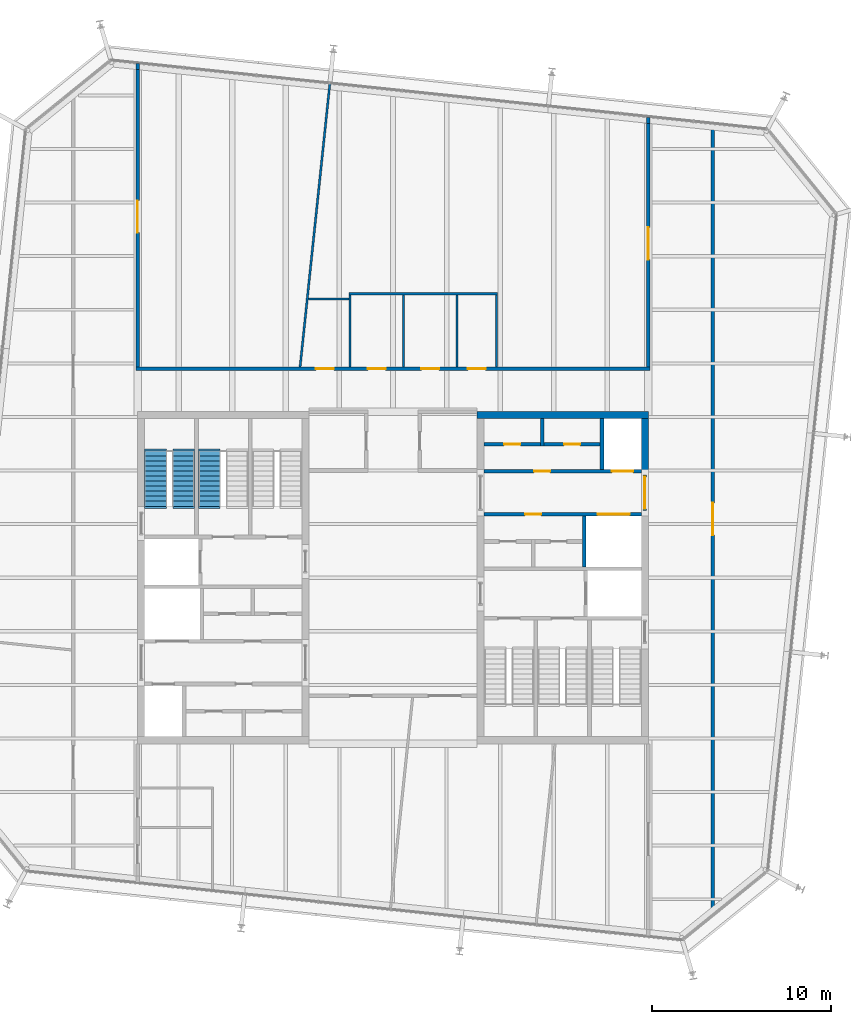
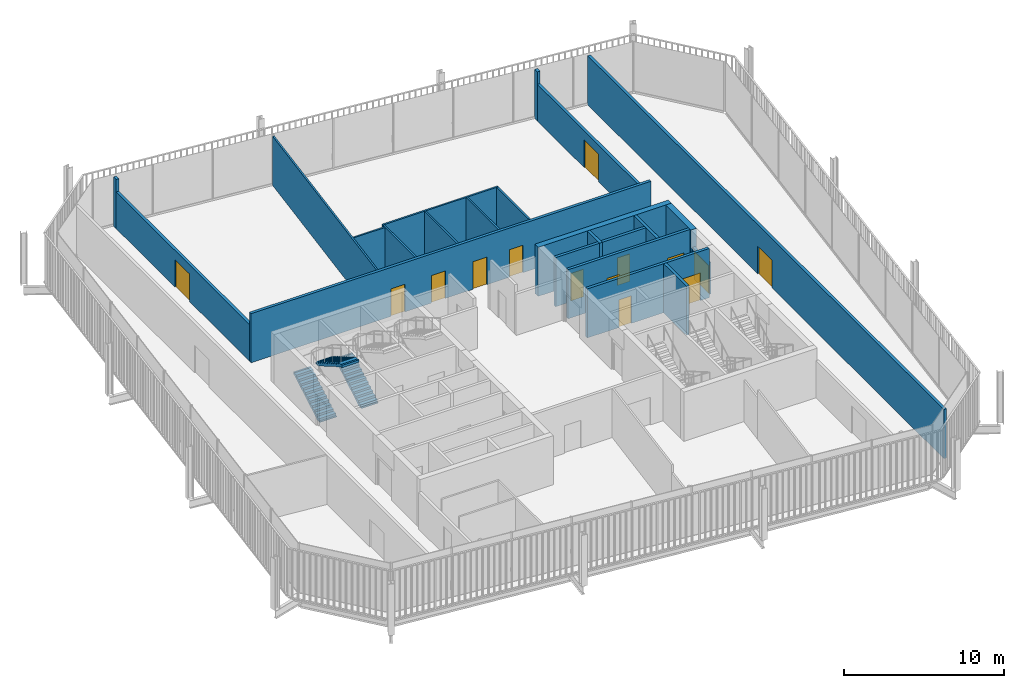
# One storey, part 18 of 20: 22 walls, 14 doors, 3 stair flights, 14 openings, 2 elements without a shape of their own.
"""IFC4 building model written with IfcOpenShell, lengths in metres."""

from ifc_helpers import new_model, si_unit, direction, frame, frame_2d, origin, place, context, subcontext, project, spatial, polyline, rectangle, outline, extrude, material, layer, layer_set, type_object, element, fill, aggregate, save


model = new_model("IFC4")

# Units and contexts
model_context = context("Model", 3, precision=1e-05, world=origin(), true_north=direction((0.0, 1.0)))
body_context = subcontext(model_context, "Body", "Model", "MODEL_VIEW")
ifc_project = project(units=[si_unit("LENGTHUNIT", "METRE"), si_unit("AREAUNIT", "SQUARE_METRE"), si_unit("VOLUMEUNIT", "CUBIC_METRE"), si_unit("PLANEANGLEUNIT", "RADIAN"), si_unit("MASSUNIT", "GRAM", prefix="KILO")], contexts=[model_context])

# Site, building, storey
site_placement = place(None, origin())
site = spatial("IfcSite", under=ifc_project, at=site_placement, CompositionType="ELEMENT")
building_placement = place(site_placement, origin())
building = spatial("IfcBuilding", under=site, at=building_placement, Name="Millrace Tower", CompositionType="ELEMENT")
storey_placement = place(building_placement, frame((0.0, 0.0, 322.60009765625)))
storey = spatial("IfcBuildingStorey", under=building, at=storey_placement, Name="L74", CompositionType="ELEMENT", Elevation=322.60009765625)

# Walls
ifc_material_1 = material(Name="Concrete C60", Category="concrete")
ifc_layer_1 = layer(ifc_material_1, 0.39990234375)
ifc_layer_set_1 = layer_set([ifc_layer_1], Name="Concrete C60")
wall_type_1 = type_object("IfcWallType", Name="Core wall 400 Concrete C60", PredefinedType="SHEAR", material=ifc_layer_set_1)
wall_1_placement = place(storey_placement, frame((14.300048828125, 9.10009765625, 0.0), z_axis=(0.0, 0.0, 1.0), x_axis=(-1.0, 0.0, 0.0)))
element("IfcWall", 1, at=wall_1_placement, inside=storey, type_object=wall_type_1, Name="Core wall E L74", PredefinedType="SHEAR", context=body_context, shape_type="SweptSolid", body=[
    extrude(rectangle(XDim=9.60009765625, YDim=0.39990234375, at=frame_2d((4.800048828125, 0.0))), origin(), (0.0, 0.0, 1.0), 3.739990234375),
])
wall_2_placement = place(storey_placement, frame((14.10009765625, 8.89990234375, 0.0), z_axis=(0.0, 0.0, 1.0), x_axis=(0.0, -1.0, 0.0)))
element("IfcWall", 2, at=wall_2_placement, inside=storey, type_object=wall_type_1, Name="Core wall E L74", PredefinedType="SHEAR", context=body_context, shape_type="SweptSolid", body=[
    extrude(rectangle(XDim=3.14990234375, YDim=0.39990234375, at=frame_2d((1.574951171875, 0.0))), origin(), (0.0, 0.0, 1.0), 3.739990234375),
])

# Wall, openings, doors
ifc_material_2 = material(Name="Masonry partition, fire-rated", Category="masonry")
ifc_layer_2 = layer(ifc_material_2, 0.199951171875)
ifc_layer_set_2 = layer_set([ifc_layer_2], Name="Masonry partition, fire-rated")
wall_type_2 = type_object("IfcWallType", Name="Corridor wall 200", PredefinedType="PARTITIONING", material=ifc_layer_set_2)
wall_3_placement = place(storey_placement, frame((-14.39990234375, 11.699951171875, 0.0), z_axis=(0.0, 0.0, 1.0), x_axis=(1.0, 0.0, 0.0)))
wall_3 = element("IfcWall", 3, at=wall_3_placement, inside=storey, type_object=wall_type_2, Name="Corridor wall L74", PredefinedType="PARTITIONING", context=body_context, shape_type="SweptSolid", body=[
    extrude(rectangle(XDim=28.7998046875, YDim=0.199951171875, at=frame_2d((14.39990234375, 0.0))), origin(), (0.0, 0.0, 1.0), 3.739990234375),
])
opening_1_placement = place(wall_3_placement, frame((10.089111328125, 0.0, 0.0)))
opening_1 = element("IfcOpeningElement", 4, at=opening_1_placement, cuts=wall_3, Name="Opening 74-P007", PredefinedType="OPENING", context=body_context, shape_type="SweptSolid", body=[
    extrude(rectangle(XDim=1.0, YDim=2.10009765625, at=frame_2d((0.5, 1.050048828125))), frame((0.0, 0.10986328125, 0.0), z_axis=(0.0, -1.0, 0.0), x_axis=(1.0, 0.0, 0.0)), (0.0, 0.0, 1.0), 0.219970703125),
])
opening_2_placement = place(wall_3_placement, frame((12.989013671875, 0.0, 0.0)))
opening_2 = element("IfcOpeningElement", 5, at=opening_2_placement, cuts=wall_3, Name="Opening 74-P014", PredefinedType="OPENING", context=body_context, shape_type="SweptSolid", body=[
    extrude(rectangle(XDim=1.0, YDim=2.10009765625, at=frame_2d((0.5, 1.050048828125))), frame((0.0, 0.10986328125, 0.0), z_axis=(0.0, -1.0, 0.0), x_axis=(1.0, 0.0, 0.0)), (0.0, 0.0, 1.0), 0.219970703125),
])
opening_3_placement = place(wall_3_placement, frame((15.989013671875, 0.0, 0.0)))
opening_3 = element("IfcOpeningElement", 6, at=opening_3_placement, cuts=wall_3, Name="Opening 74-P015", PredefinedType="OPENING", context=body_context, shape_type="SweptSolid", body=[
    extrude(rectangle(XDim=1.0, YDim=2.10009765625, at=frame_2d((0.5, 1.050048828125))), frame((0.0, 0.10986328125, 0.0), z_axis=(0.0, -1.0, 0.0), x_axis=(1.0, 0.0, 0.0)), (0.0, 0.0, 1.0), 0.219970703125),
])
opening_4_placement = place(wall_3_placement, frame((18.589111328125, 0.0, 0.0)))
opening_4 = element("IfcOpeningElement", 7, at=opening_4_placement, cuts=wall_3, Name="Opening 74-P016", PredefinedType="OPENING", context=body_context, shape_type="SweptSolid", body=[
    extrude(rectangle(XDim=1.0, YDim=2.10009765625, at=frame_2d((0.5, 1.050048828125))), frame((0.0, 0.10986328125, 0.0), z_axis=(0.0, -1.0, 0.0), x_axis=(1.0, 0.0, 0.0)), (0.0, 0.0, 1.0), 0.219970703125),
])
ifc_material_3 = material(Name="Steel door set, fire-rated", Category="steel")
door_type_1 = type_object("IfcDoorType", Name="Corridor door 1000 x 2100", OperationType="SINGLE_SWING_LEFT", PredefinedType="DOOR", material=ifc_material_3)
door_1_placement = place(opening_1_placement, origin())
door_1 = element("IfcDoor", 8, at=door_1_placement, inside=storey, type_object=door_type_1, Name="Door 74-P007", OperationType="SINGLE_SWING_LEFT", OverallHeight=2.10009765625, OverallWidth=1.0, PredefinedType="DOOR", context=body_context, shape_type="SweptSolid", body=[
    extrude(rectangle(XDim=1.0, YDim=2.10009765625, at=frame_2d((0.5, 1.050048828125))), frame((0.0, 0.02490234375, 0.0), z_axis=(0.0, -1.0, 0.0), x_axis=(1.0, 0.0, 0.0)), (0.0, 0.0, 1.0), 0.050048828125),
])
fill(opening_1, door_1)
door_2_placement = place(opening_2_placement, origin())
door_2 = element("IfcDoor", 9, at=door_2_placement, inside=storey, type_object=door_type_1, Name="Door 74-P014", OperationType="SINGLE_SWING_LEFT", OverallHeight=2.10009765625, OverallWidth=1.0, PredefinedType="DOOR", context=body_context, shape_type="SweptSolid", body=[
    extrude(rectangle(XDim=1.0, YDim=2.10009765625, at=frame_2d((0.5, 1.050048828125))), frame((0.0, 0.02490234375, 0.0), z_axis=(0.0, -1.0, 0.0), x_axis=(1.0, 0.0, 0.0)), (0.0, 0.0, 1.0), 0.050048828125),
])
fill(opening_2, door_2)
door_3_placement = place(opening_3_placement, origin())
door_3 = element("IfcDoor", 10, at=door_3_placement, inside=storey, type_object=door_type_1, Name="Door 74-P015", OperationType="SINGLE_SWING_RIGHT", OverallHeight=2.10009765625, OverallWidth=1.0, PredefinedType="DOOR", context=body_context, shape_type="SweptSolid", body=[
    extrude(rectangle(XDim=1.0, YDim=2.10009765625, at=frame_2d((0.5, 1.050048828125))), frame((0.0, 0.02490234375, 0.0), z_axis=(0.0, -1.0, 0.0), x_axis=(1.0, 0.0, 0.0)), (0.0, 0.0, 1.0), 0.050048828125),
])
fill(opening_3, door_3)
door_4_placement = place(opening_4_placement, origin())
door_4 = element("IfcDoor", 11, at=door_4_placement, inside=storey, type_object=door_type_1, Name="Door 74-P016", OperationType="SINGLE_SWING_RIGHT", OverallHeight=2.10009765625, OverallWidth=1.0, PredefinedType="DOOR", context=body_context, shape_type="SweptSolid", body=[
    extrude(rectangle(XDim=1.0, YDim=2.10009765625, at=frame_2d((0.5, 1.050048828125))), frame((0.0, 0.02490234375, 0.0), z_axis=(0.0, -1.0, 0.0), x_axis=(1.0, 0.0, 0.0)), (0.0, 0.0, 1.0), 0.050048828125),
])
fill(opening_4, door_4)

# Wall, opening, door
wall_4_placement = place(storey_placement, frame((17.89990234375, -19.042236328125, 0.0), z_axis=(0.0, 0.0, 1.0), x_axis=(0.0, 1.0, 0.0)))
wall_4 = element("IfcWall", 12, at=wall_4_placement, inside=storey, type_object=wall_type_2, Name="Corridor wall L74", PredefinedType="PARTITIONING", context=body_context, shape_type="SweptSolid", body=[
    extrude(rectangle(XDim=44.437255859375, YDim=0.199951171875, at=frame_2d((22.21875, 0.0))), origin(), (0.0, 0.0, 1.0), 3.739990234375),
])
opening_5_placement = place(wall_4_placement, frame((21.42578125, 0.0, 0.0)))
opening_5 = element("IfcOpeningElement", 13, at=opening_5_placement, cuts=wall_4, Name="Opening 74-P008", PredefinedType="OPENING", context=body_context, shape_type="SweptSolid", body=[
    extrude(rectangle(XDim=1.800048828125, YDim=2.10009765625, at=frame_2d((0.89990234375, 1.050048828125))), frame((0.0, 0.10986328125, 0.0), z_axis=(0.0, -1.0, 0.0), x_axis=(1.0, 0.0, 0.0)), (0.0, 0.0, 1.0), 0.219970703125),
])
ifc_material_4 = material(Name="Steel door set, fire-rated", Category="steel")
door_type_2 = type_object("IfcDoorType", Name="Corridor door 1800 x 2100", OperationType="DOUBLE_DOOR_SINGLE_SWING", PredefinedType="DOOR", material=ifc_material_4)
door_5_placement = place(opening_5_placement, origin())
door_5 = element("IfcDoor", 14, at=door_5_placement, inside=storey, type_object=door_type_2, Name="Door 74-P008", OperationType="DOUBLE_DOOR_SINGLE_SWING", OverallHeight=2.10009765625, OverallWidth=1.800048828125, PredefinedType="DOOR", context=body_context, shape_type="SweptSolid", body=[
    extrude(rectangle(XDim=1.800048828125, YDim=2.10009765625, at=frame_2d((0.89990234375, 1.050048828125))), frame((0.0, 0.02490234375, 0.0), z_axis=(0.0, -1.0, 0.0), x_axis=(1.0, 0.0, 0.0)), (0.0, 0.0, 1.0), 0.050048828125),
])
fill(opening_5, door_5)

wall_5_placement = place(storey_placement, frame((14.300048828125, 11.800048828125, 0.0), z_axis=(0.0, 0.0, 1.0), x_axis=(0.0, 1.0, 0.0)))
wall_5 = element("IfcWall", 15, at=wall_5_placement, inside=storey, type_object=wall_type_2, Name="Corridor wall L74", PredefinedType="PARTITIONING", context=body_context, shape_type="SweptSolid", body=[
    extrude(rectangle(XDim=13.63427734375, YDim=0.199951171875, at=frame_2d((6.817138671875, 0.0))), origin(), (0.0, 0.0, 1.0), 2.79248046875),
])
opening_6_placement = place(wall_5_placement, frame((6.011474609375, 0.0, 0.0)))
opening_6 = element("IfcOpeningElement", 16, at=opening_6_placement, cuts=wall_5, Name="Opening 74-P006", PredefinedType="OPENING", context=body_context, shape_type="SweptSolid", body=[
    extrude(rectangle(XDim=1.800048828125, YDim=2.10009765625, at=frame_2d((0.89990234375, 1.050048828125))), frame((0.0, 0.10986328125, 0.0), z_axis=(0.0, -1.0, 0.0), x_axis=(1.0, 0.0, 0.0)), (0.0, 0.0, 1.0), 0.219970703125),
])
door_6_placement = place(opening_6_placement, frame((1.800048828125, 0.0, 0.0), z_axis=(0.0, 0.0, 1.0), x_axis=(-1.0, 0.0, 0.0)))
door_6 = element("IfcDoor", 17, at=door_6_placement, inside=storey, type_object=door_type_2, Name="Door 74-P006", OperationType="DOUBLE_DOOR_SINGLE_SWING", OverallHeight=2.10009765625, OverallWidth=1.800048828125, PredefinedType="DOOR", context=body_context, shape_type="SweptSolid", body=[
    extrude(rectangle(XDim=1.800048828125, YDim=2.10009765625, at=frame_2d((0.89990234375, 1.050048828125))), frame((0.0, 0.02490234375, 0.0), z_axis=(0.0, -1.0, 0.0), x_axis=(1.0, 0.0, 0.0)), (0.0, 0.0, 1.0), 0.050048828125),
])
fill(opening_6, door_6)

# Wall
wall_6_placement = place(storey_placement, frame((14.300048828125, 25.434326171875, 0.0), z_axis=(0.0, 0.0, 1.0), x_axis=(0.0, 1.0, 0.0)))
element("IfcWall", 18, at=wall_6_placement, inside=storey, type_object=wall_type_2, Name="Corridor wall L74", PredefinedType="PARTITIONING", context=body_context, shape_type="SweptSolid", body=[
    extrude(rectangle(XDim=0.339111328125, YDim=0.199951171875, at=frame_2d((0.16943359375, 0.0))), origin(), (0.0, 0.0, 1.0), 3.739990234375),
])

# Wall, opening, door
wall_7_placement = place(storey_placement, frame((-14.300048828125, 11.800048828125, 0.0), z_axis=(0.0, 0.0, 1.0), x_axis=(0.0, 1.0, 0.0)))
wall_7 = element("IfcWall", 19, at=wall_7_placement, inside=storey, type_object=wall_type_2, Name="Corridor wall L74", PredefinedType="PARTITIONING", context=body_context, shape_type="SweptSolid", body=[
    extrude(rectangle(XDim=16.64013671875, YDim=0.199951171875, at=frame_2d((8.320068359375, 0.0))), origin(), (0.0, 0.0, 1.0), 2.79248046875),
])
opening_7_placement = place(wall_7_placement, frame((7.514404296875, 0.0, 0.0)))
opening_7 = element("IfcOpeningElement", 20, at=opening_7_placement, cuts=wall_7, Name="Opening 74-P005", PredefinedType="OPENING", context=body_context, shape_type="SweptSolid", body=[
    extrude(rectangle(XDim=1.800048828125, YDim=2.10009765625, at=frame_2d((0.89990234375, 1.050048828125))), frame((0.0, 0.10986328125, 0.0), z_axis=(0.0, -1.0, 0.0), x_axis=(1.0, 0.0, 0.0)), (0.0, 0.0, 1.0), 0.219970703125),
])
door_7_placement = place(opening_7_placement, origin())
door_7 = element("IfcDoor", 21, at=door_7_placement, inside=storey, type_object=door_type_2, Name="Door 74-P005", OperationType="DOUBLE_DOOR_SINGLE_SWING", OverallHeight=2.10009765625, OverallWidth=1.800048828125, PredefinedType="DOOR", context=body_context, shape_type="SweptSolid", body=[
    extrude(rectangle(XDim=1.800048828125, YDim=2.10009765625, at=frame_2d((0.89990234375, 1.050048828125))), frame((0.0, 0.02490234375, 0.0), z_axis=(0.0, -1.0, 0.0), x_axis=(1.0, 0.0, 0.0)), (0.0, 0.0, 1.0), 0.050048828125),
])
fill(opening_7, door_7)

# Wall
wall_8_placement = place(storey_placement, frame((-14.300048828125, 28.440185546875, 0.0), z_axis=(0.0, 0.0, 1.0), x_axis=(0.0, 1.0, 0.0)))
element("IfcWall", 22, at=wall_8_placement, inside=storey, type_object=wall_type_2, Name="Corridor wall L74", PredefinedType="PARTITIONING", context=body_context, shape_type="SweptSolid", body=[
    extrude(rectangle(XDim=0.33935546875, YDim=0.199951171875, at=frame_2d((0.169677734375, 0.0))), origin(), (0.0, 0.0, 1.0), 3.739990234375),
])

# Wall, openings, doors
ifc_material_5 = material(Name="Masonry partition, fire-rated", Category="masonry")
ifc_layer_3 = layer(ifc_material_5, 0.199951171875)
ifc_layer_set_3 = layer_set([ifc_layer_3], Name="Masonry partition, fire-rated")
wall_type_3 = type_object("IfcWallType", Name="Lift shaft wall 200", PredefinedType="PARTITIONING", material=ifc_layer_set_3)
wall_9_placement = place(storey_placement, frame((13.89990234375, 5.949951171875, 0.0), z_axis=(0.0, 0.0, 1.0), x_axis=(-1.0, 0.0, 0.0)))
wall_9 = element("IfcWall", 23, at=wall_9_placement, inside=storey, type_object=wall_type_3, Name="Lift shaft wall E L74", PredefinedType="PARTITIONING", context=body_context, shape_type="SweptSolid", body=[
    extrude(rectangle(XDim=8.7998046875, YDim=0.199951171875, at=frame_2d((4.39990234375, 0.0))), origin(), (0.0, 0.0, 1.0), 3.739990234375),
])
opening_8_placement = place(wall_9_placement, frame((0.449951171875, 0.0, 0.0)))
opening_8 = element("IfcOpeningElement", 24, at=opening_8_placement, cuts=wall_9, Name="Opening 74-LD09", PredefinedType="OPENING", context=body_context, shape_type="SweptSolid", body=[
    extrude(rectangle(XDim=1.199951171875, YDim=2.10009765625, at=frame_2d((0.60009765625, 1.050048828125))), frame((0.0, 0.10986328125, 0.0), z_axis=(0.0, -1.0, 0.0), x_axis=(1.0, 0.0, 0.0)), (0.0, 0.0, 1.0), 0.219970703125),
])
opening_9_placement = place(wall_9_placement, frame((5.10009765625, 0.0, 0.0)))
opening_9 = element("IfcOpeningElement", 25, at=opening_9_placement, cuts=wall_9, Name="Opening 74-C017", PredefinedType="OPENING", context=body_context, shape_type="SweptSolid", body=[
    extrude(rectangle(XDim=0.89990234375, YDim=2.10009765625, at=frame_2d((0.449951171875, 1.050048828125))), frame((0.0, 0.10986328125, 0.0), z_axis=(0.0, -1.0, 0.0), x_axis=(1.0, 0.0, 0.0)), (0.0, 0.0, 1.0), 0.219970703125),
])
ifc_material_6 = material(Name="Stainless steel, fire-rated", Category="steel")
door_type_3 = type_object("IfcDoorType", Name="Lift landing door 1200 x 2100", OperationType="DOUBLE_DOOR_SLIDING", PredefinedType="DOOR", material=ifc_material_6)
door_8_placement = place(opening_8_placement, origin())
door_8 = element("IfcDoor", 26, at=door_8_placement, inside=storey, type_object=door_type_3, Name="Lift landing door LF9 L74", OperationType="DOUBLE_DOOR_SLIDING", OverallHeight=2.10009765625, OverallWidth=1.199951171875, PredefinedType="DOOR", context=body_context, shape_type="SweptSolid", body=[
    extrude(rectangle(XDim=1.199951171875, YDim=2.10009765625, at=frame_2d((0.60009765625, 1.050048828125))), frame((0.0, 0.02490234375, 0.0), z_axis=(0.0, -1.0, 0.0), x_axis=(1.0, 0.0, 0.0)), (0.0, 0.0, 1.0), 0.050048828125),
])
fill(opening_8, door_8)
ifc_material_7 = material(Name="Steel door, fire-rated", Category="steel")
door_type_4 = type_object("IfcDoorType", Name="Service room door 900 x 2100", OperationType="SINGLE_SWING_LEFT", PredefinedType="DOOR", material=ifc_material_7)
door_9_placement = place(opening_9_placement, origin())
door_9 = element("IfcDoor", 27, at=door_9_placement, inside=storey, type_object=door_type_4, Name="Service room door 74-C017", OperationType="SINGLE_SWING_RIGHT", OverallHeight=2.10009765625, OverallWidth=0.89990234375, PredefinedType="DOOR", context=body_context, shape_type="SweptSolid", body=[
    extrude(rectangle(XDim=0.89990234375, YDim=2.10009765625, at=frame_2d((0.449951171875, 1.050048828125))), frame((0.0, 0.02490234375, 0.0), z_axis=(0.0, -1.0, 0.0), x_axis=(1.0, 0.0, 0.0)), (0.0, 0.0, 1.0), 0.050048828125),
])
fill(opening_9, door_9)

wall_10_placement = place(storey_placement, frame((13.89990234375, 3.550048828125, 0.0), z_axis=(0.0, 0.0, 1.0), x_axis=(-1.0, 0.0, 0.0)))
wall_10 = element("IfcWall", 28, at=wall_10_placement, inside=storey, type_object=wall_type_3, Name="Lift shaft wall E L74", PredefinedType="PARTITIONING", context=body_context, shape_type="SweptSolid", body=[
    extrude(rectangle(XDim=8.7998046875, YDim=0.199951171875, at=frame_2d((4.39990234375, 0.0))), origin(), (0.0, 0.0, 1.0), 3.739990234375),
])
opening_10_placement = place(wall_10_placement, frame((0.64990234375, 0.0, 0.0)))
opening_10 = element("IfcOpeningElement", 29, at=opening_10_placement, cuts=wall_10, Name="Opening 74-LD13", PredefinedType="OPENING", context=body_context, shape_type="SweptSolid", body=[
    extrude(rectangle(XDim=1.800048828125, YDim=2.10009765625, at=frame_2d((0.89990234375, 1.050048828125))), frame((0.0, 0.10986328125, 0.0), z_axis=(0.0, -1.0, 0.0), x_axis=(1.0, 0.0, 0.0)), (0.0, 0.0, 1.0), 0.219970703125),
])
opening_11_placement = place(wall_10_placement, frame((5.60009765625, 0.0, 0.0)))
opening_11 = element("IfcOpeningElement", 30, at=opening_11_placement, cuts=wall_10, Name="Opening 74-C020", PredefinedType="OPENING", context=body_context, shape_type="SweptSolid", body=[
    extrude(rectangle(XDim=0.89990234375, YDim=2.10009765625, at=frame_2d((0.449951171875, 1.050048828125))), frame((0.0, 0.10986328125, 0.0), z_axis=(0.0, -1.0, 0.0), x_axis=(1.0, 0.0, 0.0)), (0.0, 0.0, 1.0), 0.219970703125),
])
ifc_material_8 = material(Name="Stainless steel, fire-rated", Category="steel")
door_type_5 = type_object("IfcDoorType", Name="Lift landing door 1800 x 2100", OperationType="DOUBLE_DOOR_SLIDING", PredefinedType="DOOR", material=ifc_material_8)
door_10_placement = place(opening_10_placement, origin())
door_10 = element("IfcDoor", 31, at=door_10_placement, inside=storey, type_object=door_type_5, Name="Lift landing door LF13 L74", OperationType="DOUBLE_DOOR_SLIDING", OverallHeight=2.10009765625, OverallWidth=1.800048828125, PredefinedType="DOOR", context=body_context, shape_type="SweptSolid", body=[
    extrude(rectangle(XDim=1.800048828125, YDim=2.10009765625, at=frame_2d((0.89990234375, 1.050048828125))), frame((0.0, 0.02490234375, 0.0), z_axis=(0.0, -1.0, 0.0), x_axis=(1.0, 0.0, 0.0)), (0.0, 0.0, 1.0), 0.050048828125),
])
fill(opening_10, door_10)
door_11_placement = place(opening_11_placement, frame((0.89990234375, 0.0, 0.0), z_axis=(0.0, 0.0, 1.0), x_axis=(-1.0, 0.0, 0.0)))
door_11 = element("IfcDoor", 32, at=door_11_placement, inside=storey, type_object=door_type_4, Name="Service room door 74-C020", OperationType="SINGLE_SWING_LEFT", OverallHeight=2.10009765625, OverallWidth=0.89990234375, PredefinedType="DOOR", context=body_context, shape_type="SweptSolid", body=[
    extrude(rectangle(XDim=0.89990234375, YDim=2.10009765625, at=frame_2d((0.449951171875, 1.050048828125))), frame((0.0, 0.02490234375, 0.0), z_axis=(0.0, -1.0, 0.0), x_axis=(1.0, 0.0, 0.0)), (0.0, 0.0, 1.0), 0.050048828125),
])
fill(opening_11, door_11)

# Walls
for number, where, z_axis, x_axis, name in (
    (33, (11.699951171875, 8.89990234375, 0.0), (0.0, 0.0, 1.0), (0.0, -1.0, 0.0), "Lift shaft wall E L74"),
    (34, (10.699951171875, 3.449951171875, 0.0), (0.0, 0.0, 1.0), (0.0, -1.0, 0.0), "Lift shaft wall E L74"),
):
    element("IfcWall", number, at=place(storey_placement, frame(where, z_axis=z_axis, x_axis=x_axis)), inside=storey, type_object=wall_type_3, Name=name, PredefinedType="PARTITIONING", context=body_context, shape_type="SweptSolid", body=[
        extrude(rectangle(XDim=2.849853515625, YDim=0.199951171875, at=frame_2d((1.4248046875, 0.0))), origin(), (0.0, 0.0, 1.0), 3.739990234375),
    ])

# Wall, opening, door
ifc_material_9 = material(Name="Masonry partition, fire-rated", Category="masonry")
ifc_layer_4 = layer(ifc_material_9, 0.199951171875)
ifc_layer_set_4 = layer_set([ifc_layer_4], Name="Masonry partition, fire-rated")
wall_type_4 = type_object("IfcWallType", Name="Lobby wall 200", PredefinedType="PARTITIONING", material=ifc_layer_set_4)
wall_11_placement = place(storey_placement, frame((14.10009765625, 5.75, 0.0), z_axis=(0.0, 0.0, 1.0), x_axis=(0.0, -1.0, 0.0)))
wall_11 = element("IfcWall", 35, at=wall_11_placement, inside=storey, type_object=wall_type_4, Name="Lobby wall E L74", PredefinedType="PARTITIONING", context=body_context, shape_type="SweptSolid", body=[
    extrude(rectangle(XDim=2.0, YDim=0.199951171875, at=frame_2d((1.0, 0.0))), origin(), (0.0, 0.0, 1.0), 2.39990234375),
])
opening_12_placement = place(wall_11_placement, frame((0.10009765625, 0.0, 0.0)))
opening_12 = element("IfcOpeningElement", 36, at=opening_12_placement, cuts=wall_11, Name="Opening 74-C013", PredefinedType="OPENING", context=body_context, shape_type="SweptSolid", body=[
    extrude(rectangle(XDim=1.800048828125, YDim=2.10009765625, at=frame_2d((0.89990234375, 1.050048828125))), frame((0.0, 0.10986328125, 0.0), z_axis=(0.0, -1.0, 0.0), x_axis=(1.0, 0.0, 0.0)), (0.0, 0.0, 1.0), 0.219970703125),
])
ifc_material_10 = material(Name="Steel door, fire-rated", Category="steel")
door_type_6 = type_object("IfcDoorType", Name="Lobby door 1800 x 2100", OperationType="DOUBLE_DOOR_SINGLE_SWING", PredefinedType="DOOR", material=ifc_material_10)
door_12_placement = place(opening_12_placement, origin())
door_12 = element("IfcDoor", 37, at=door_12_placement, inside=storey, type_object=door_type_6, Name="Lobby door 74-C013", OperationType="DOUBLE_DOOR_SINGLE_SWING", OverallHeight=2.10009765625, OverallWidth=1.800048828125, PredefinedType="DOOR", context=body_context, shape_type="SweptSolid", body=[
    extrude(rectangle(XDim=1.800048828125, YDim=2.10009765625, at=frame_2d((0.89990234375, 1.050048828125))), frame((0.0, 0.02490234375, 0.0), z_axis=(0.0, -1.0, 0.0), x_axis=(1.0, 0.0, 0.0)), (0.0, 0.0, 1.0), 0.050048828125),
])
fill(opening_12, door_12)

# Walls
ifc_material_11 = material(Name="Gypsum board partition")
ifc_layer_5 = layer(ifc_material_11, 0.1201171875)
ifc_layer_set_5 = layer_set([ifc_layer_5], Name="Gypsum board partition")
wall_type_5 = type_object("IfcWallType", Name="Partition wall 120", PredefinedType="PARTITIONING", material=ifc_layer_set_5)
wall_12_placement = place(storey_placement, frame((-4.740966796875, 15.60009765625, 0.0), z_axis=(0.0, 0.0, 1.0), x_axis=(1.0, 0.0, 0.0)))
element("IfcWall", 38, at=wall_12_placement, inside=storey, type_object=wall_type_5, Name="Partition wall L74", PredefinedType="PARTITIONING", context=body_context, shape_type="SweptSolid", body=[
    extrude(rectangle(XDim=2.27001953125, YDim=0.1201171875, at=frame_2d((1.135009765625, 0.0))), origin(), (0.0, 0.0, 1.0), 3.739990234375),
])
wall_13_placement = place(storey_placement, frame((-2.470947265625, 15.89990234375, 0.0), z_axis=(0.0, 0.0, 1.0), x_axis=(1.0, 0.0, 0.0)))
element("IfcWall", 39, at=wall_13_placement, inside=storey, type_object=wall_type_5, Name="Partition wall L74", PredefinedType="PARTITIONING", context=body_context, shape_type="SweptSolid", body=[
    extrude(rectangle(XDim=8.320068359375, YDim=0.1201171875, at=frame_2d((4.16015625, 0.0))), origin(), (0.0, 0.0, 1.0), 3.739990234375),
])
wall_14_placement = place(storey_placement, frame((-5.200439453125, 11.799560546875, 0.0), z_axis=(0.0, 0.0, 1.0), x_axis=(0.10453086604, 0.994521642824, 0.0)))
element("IfcWall", 40, at=wall_14_placement, inside=storey, type_object=wall_type_5, Name="Partition wall L74", PredefinedType="PARTITIONING", context=body_context, shape_type="SweptSolid", body=[
    extrude(rectangle(XDim=15.935791015625, YDim=0.1201171875, at=frame_2d((7.9677734375, 0.0))), origin(), (0.0, 0.0, 1.0), 3.739990234375),
])
for number, where, z_axis, x_axis, name in (
    (41, (5.7890625, 11.800048828125, 0.0), (0.0, 0.0, 1.0), (0.0, 1.0, 0.0), "Partition wall L74"),
    (42, (3.589111328125, 11.800048828125, 0.0), (0.0, 0.0, 1.0), (0.0, 1.0, 0.0), "Partition wall L74"),
    (43, (0.589111328125, 11.800048828125, 0.0), (0.0, 0.0, 1.0), (0.0, 1.0, 0.0), "Partition wall L74"),
    (44, (-2.410888671875, 11.800048828125, 0.0), (0.0, 0.0, 1.0), (0.0, 1.0, 0.0), "Partition wall L74"),
):
    element("IfcWall", number, at=place(storey_placement, frame(where, z_axis=z_axis, x_axis=x_axis)), inside=storey, type_object=wall_type_5, Name=name, PredefinedType="PARTITIONING", context=body_context, shape_type="SweptSolid", body=[
        extrude(rectangle(XDim=4.0400390625, YDim=0.1201171875, at=frame_2d((2.02001953125, 0.0))), origin(), (0.0, 0.0, 1.0), 3.739990234375),
    ])

# Wall, openings, doors
ifc_material_12 = material(Name="Masonry partition, fire-rated", Category="masonry")
ifc_layer_6 = layer(ifc_material_12, 0.199951171875)
ifc_layer_set_6 = layer_set([ifc_layer_6], Name="Masonry partition, fire-rated")
wall_type_6 = type_object("IfcWallType", Name="Room partition 200", PredefinedType="PARTITIONING", material=ifc_layer_set_6)
wall_15_placement = place(storey_placement, frame((11.60009765625, 7.47509765625, 0.0), z_axis=(0.0, 0.0, 1.0), x_axis=(-1.0, 0.0, 0.0)))
wall_15 = element("IfcWall", 45, at=wall_15_placement, inside=storey, type_object=wall_type_6, Name="Room partition E L74", PredefinedType="PARTITIONING", context=body_context, shape_type="SweptSolid", body=[
    extrude(rectangle(XDim=6.5, YDim=0.199951171875, at=frame_2d((3.25, 0.0))), origin(), (0.0, 0.0, 1.0), 3.739990234375),
])
opening_13_placement = place(wall_15_placement, frame((1.125, 0.0, 0.0)))
opening_13 = element("IfcOpeningElement", 46, at=opening_13_placement, cuts=wall_15, Name="Opening 74-C018", PredefinedType="OPENING", context=body_context, shape_type="SweptSolid", body=[
    extrude(rectangle(XDim=0.89990234375, YDim=2.10009765625, at=frame_2d((0.449951171875, 1.050048828125))), frame((0.0, 0.10986328125, 0.0), z_axis=(0.0, -1.0, 0.0), x_axis=(1.0, 0.0, 0.0)), (0.0, 0.0, 1.0), 0.219970703125),
])
opening_14_placement = place(wall_15_placement, frame((4.47509765625, 0.0, 0.0)))
opening_14 = element("IfcOpeningElement", 47, at=opening_14_placement, cuts=wall_15, Name="Opening 74-C019", PredefinedType="OPENING", context=body_context, shape_type="SweptSolid", body=[
    extrude(rectangle(XDim=0.89990234375, YDim=2.10009765625, at=frame_2d((0.449951171875, 1.050048828125))), frame((0.0, 0.10986328125, 0.0), z_axis=(0.0, -1.0, 0.0), x_axis=(1.0, 0.0, 0.0)), (0.0, 0.0, 1.0), 0.219970703125),
])
door_13_placement = place(opening_13_placement, frame((0.89990234375, 0.0, 0.0), z_axis=(0.0, 0.0, 1.0), x_axis=(-1.0, 0.0, 0.0)))
door_13 = element("IfcDoor", 48, at=door_13_placement, inside=storey, type_object=door_type_4, Name="Service room door 74-C018", OperationType="SINGLE_SWING_RIGHT", OverallHeight=2.10009765625, OverallWidth=0.89990234375, PredefinedType="DOOR", context=body_context, shape_type="SweptSolid", body=[
    extrude(rectangle(XDim=0.89990234375, YDim=2.10009765625, at=frame_2d((0.449951171875, 1.050048828125))), frame((0.0, 0.02490234375, 0.0), z_axis=(0.0, -1.0, 0.0), x_axis=(1.0, 0.0, 0.0)), (0.0, 0.0, 1.0), 0.050048828125),
])
fill(opening_13, door_13)
door_14_placement = place(opening_14_placement, frame((0.89990234375, 0.0, 0.0), z_axis=(0.0, 0.0, 1.0), x_axis=(-1.0, 0.0, 0.0)))
door_14 = element("IfcDoor", 49, at=door_14_placement, inside=storey, type_object=door_type_4, Name="Service room door 74-C019", OperationType="SINGLE_SWING_LEFT", OverallHeight=2.10009765625, OverallWidth=0.89990234375, PredefinedType="DOOR", context=body_context, shape_type="SweptSolid", body=[
    extrude(rectangle(XDim=0.89990234375, YDim=2.10009765625, at=frame_2d((0.449951171875, 1.050048828125))), frame((0.0, 0.02490234375, 0.0), z_axis=(0.0, -1.0, 0.0), x_axis=(1.0, 0.0, 0.0)), (0.0, 0.0, 1.0), 0.050048828125),
])
fill(opening_14, door_14)

# Wall
wall_16_placement = place(storey_placement, frame((8.35009765625, 8.89990234375, 0.0), z_axis=(0.0, 0.0, 1.0), x_axis=(0.0, -1.0, 0.0)))
element("IfcWall", 50, at=wall_16_placement, inside=storey, type_object=wall_type_6, Name="Room partition E L74", PredefinedType="PARTITIONING", context=body_context, shape_type="SweptSolid", body=[
    extrude(rectangle(XDim=1.52490234375, YDim=0.199951171875, at=frame_2d((0.762451171875, 0.0))), origin(), (0.0, 0.0, 1.0), 3.739990234375),
])

# Stair, stair flights
ifc_material_13 = material(Name="Concrete C35", Category="concrete")
stair_type = type_object("IfcStairType", Name="Exit stair", PredefinedType="HALF_TURN_STAIR", material=ifc_material_13)
placement = place(storey_placement, origin())
stair_1 = element("IfcStair", 51, at=placement, inside=storey, type_object=stair_type, Name="Stair 1 W L74", PredefinedType="HALF_TURN_STAIR")
ifc_material_14 = material(Name="Concrete C35", Category="concrete")
stair_flight_type = type_object("IfcStairFlightType", Name="Exit stair flight", PredefinedType="STRAIGHT", material=ifc_material_14)
stair_flight_1_placement = place(storey_placement, frame((-13.2900390625, 4.0, 0.0), z_axis=(0.0, 0.0, 1.0), x_axis=(0.0, 1.0, 0.0)))
stair_flight_1 = element("IfcStairFlight", 52, at=stair_flight_1_placement, type_object=stair_flight_type, Name="ST12 flight 1", NumberOfRisers=12, NumberOfTreads=11, PredefinedType="STRAIGHT", RiserHeight=0.1625, TreadLength=0.28, context=body_context, shape_type="SweptSolid", body=[
    extrude(outline(polyline([(-0.1201171875, -0.0400390625), (-0.1201171875, 0.0), (0.0, 0.0), (0.0, 0.16259765625), (0.280029296875, 0.16259765625), (0.280029296875, 0.324951171875), (0.56005859375, 0.324951171875), (0.56005859375, 0.487548828125), (0.840087890625, 0.487548828125), (0.840087890625, 0.64990234375), (1.1201171875, 0.64990234375), (1.1201171875, 0.8125), (1.39990234375, 0.8125), (1.39990234375, 0.97509765625), (1.679931640625, 0.97509765625), (1.679931640625, 1.137451171875), (1.9599609375, 1.137451171875), (1.9599609375, 1.300048828125), (2.239990234375, 1.300048828125), (2.239990234375, 1.46240234375), (2.52001953125, 1.46240234375), (2.52001953125, 1.625), (2.800048828125, 1.625), (2.800048828125, 1.78759765625), (3.080078125, 1.78759765625), (3.080078125, 1.8076171875), (3.199951171875, 1.8076171875), (3.199951171875, 1.6142578125), (3.080078125, 1.6142578125), (0.298583984375, 0.0), (0.298583984375, -0.0400390625), (-0.1201171875, -0.0400390625)])), frame((0.0, 0.60986328125, 0.0), z_axis=(0.0, -1.0, 0.0), x_axis=(1.0, 0.0, 0.0)), (0.0, 0.0, 1.0), 1.219970703125),
])
stair_flight_2_placement = place(storey_placement, frame((-11.7099609375, 7.080078125, 1.949951171875), z_axis=(0.0, 0.0, 1.0), x_axis=(0.0, -1.0, 0.0)))
stair_flight_2 = element("IfcStairFlight", 53, at=stair_flight_2_placement, type_object=stair_flight_type, Name="ST12 flight 2", NumberOfRisers=12, NumberOfTreads=11, PredefinedType="STRAIGHT", RiserHeight=0.1625, TreadLength=0.28, context=body_context, shape_type="SweptSolid", body=[
    extrude(outline(polyline([(-0.1201171875, -0.0400390625), (-0.1201171875, 0.0), (0.0, 0.0), (0.0, 0.16259765625), (0.280029296875, 0.16259765625), (0.280029296875, 0.324951171875), (0.56005859375, 0.324951171875), (0.56005859375, 0.487548828125), (0.840087890625, 0.487548828125), (0.840087890625, 0.64990234375), (1.1201171875, 0.64990234375), (1.1201171875, 0.8125), (1.39990234375, 0.8125), (1.39990234375, 0.97509765625), (1.679931640625, 0.97509765625), (1.679931640625, 1.137451171875), (1.9599609375, 1.137451171875), (1.9599609375, 1.300048828125), (2.239990234375, 1.300048828125), (2.239990234375, 1.46240234375), (2.52001953125, 1.46240234375), (2.52001953125, 1.625), (2.800048828125, 1.625), (2.800048828125, 1.78759765625), (3.080078125, 1.78759765625), (3.080078125, 1.8076171875), (3.199951171875, 1.8076171875), (3.199951171875, 1.6142578125), (3.080078125, 1.6142578125), (0.298583984375, 0.0), (0.298583984375, -0.0400390625), (-0.1201171875, -0.0400390625)])), frame((0.0, 0.60986328125, 0.0), z_axis=(0.0, -1.0, 0.0), x_axis=(1.0, 0.0, 0.0)), (0.0, 0.0, 1.0), 1.219970703125),
])
aggregate(stair_1, [stair_flight_1, stair_flight_2])

# Stair, stair flight
stair_2 = element("IfcStair", 54, at=placement, inside=storey, type_object=stair_type, Name="Stair 2 W L74", PredefinedType="HALF_TURN_STAIR")
stair_flight_3_placement = place(storey_placement, frame((-10.2900390625, 4.0, 0.0), z_axis=(0.0, 0.0, 1.0), x_axis=(0.0, 1.0, 0.0)))
stair_flight_3 = element("IfcStairFlight", 55, at=stair_flight_3_placement, type_object=stair_flight_type, Name="ST12 flight 1", NumberOfRisers=12, NumberOfTreads=11, PredefinedType="STRAIGHT", RiserHeight=0.1625, TreadLength=0.28, context=body_context, shape_type="SweptSolid", body=[
    extrude(outline(polyline([(-0.1201171875, -0.0400390625), (-0.1201171875, 0.0), (0.0, 0.0), (0.0, 0.16259765625), (0.280029296875, 0.16259765625), (0.280029296875, 0.324951171875), (0.56005859375, 0.324951171875), (0.56005859375, 0.487548828125), (0.840087890625, 0.487548828125), (0.840087890625, 0.64990234375), (1.1201171875, 0.64990234375), (1.1201171875, 0.8125), (1.39990234375, 0.8125), (1.39990234375, 0.97509765625), (1.679931640625, 0.97509765625), (1.679931640625, 1.137451171875), (1.9599609375, 1.137451171875), (1.9599609375, 1.300048828125), (2.239990234375, 1.300048828125), (2.239990234375, 1.46240234375), (2.52001953125, 1.46240234375), (2.52001953125, 1.625), (2.800048828125, 1.625), (2.800048828125, 1.78759765625), (3.080078125, 1.78759765625), (3.080078125, 1.8076171875), (3.199951171875, 1.8076171875), (3.199951171875, 1.6142578125), (3.080078125, 1.6142578125), (0.298583984375, 0.0), (0.298583984375, -0.0400390625), (-0.1201171875, -0.0400390625)])), frame((0.0, 0.60986328125, 0.0), z_axis=(0.0, -1.0, 0.0), x_axis=(1.0, 0.0, 0.0)), (0.0, 0.0, 1.0), 1.219970703125),
])
aggregate(stair_2, [stair_flight_3])

save(model, "model.ifc")
